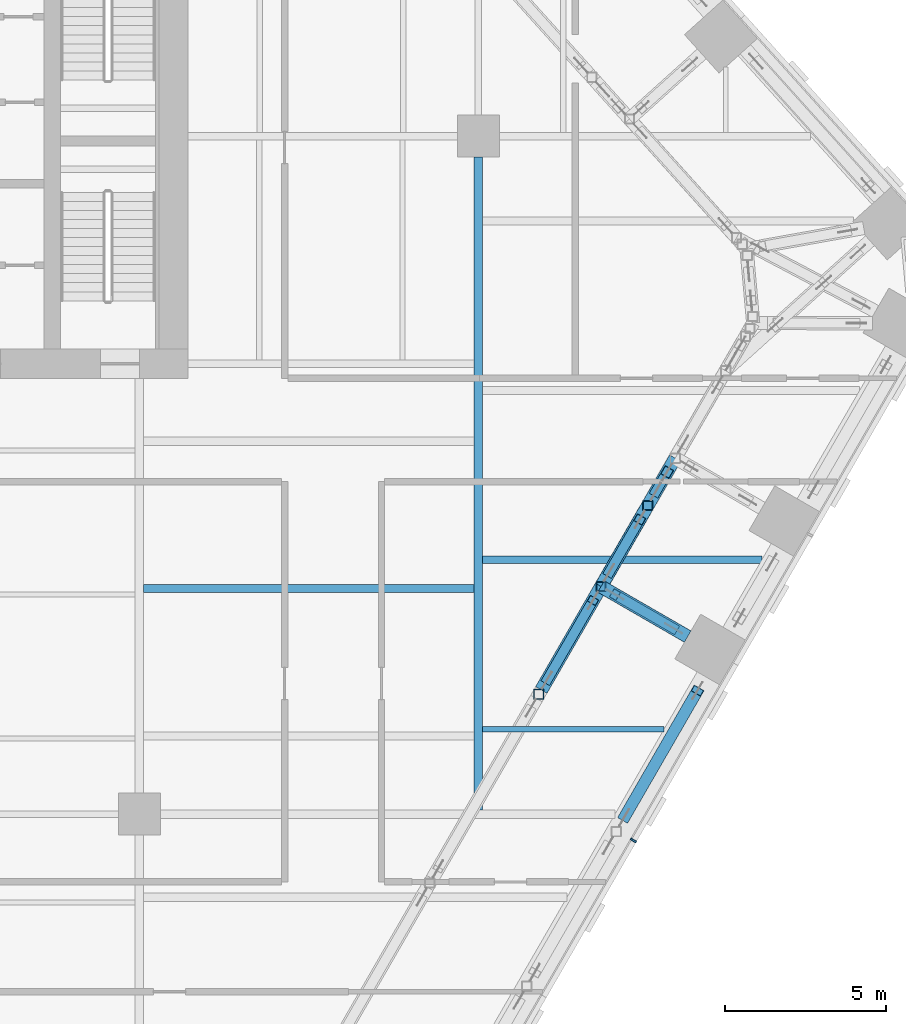
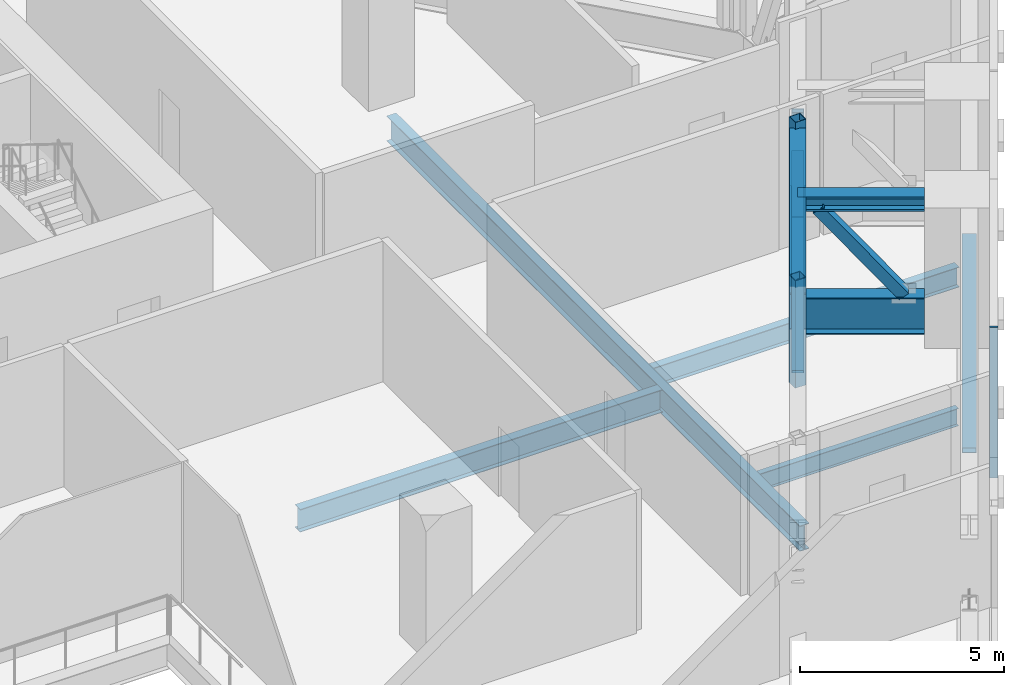
# One storey, part 9 of 36: 13 members, 4 beams, 1 element without a shape of its own.
"""IFC4 building model written with IfcOpenShell, lengths in metres."""

from ifc_helpers import new_model, si_unit, direction, frame, origin, origin_2d, place, context, subcontext, project, spatial, rectangle, hollow_rectangle, i_section, extrude, material, layer, layer_set, material_profile, profile_set, type_object, element, aggregate, save


model = new_model("IFC4")

# Units and contexts
model_context = context("Model", 3, precision=1e-05, world=origin(), true_north=direction((0.0, 1.0)))
body_context = subcontext(model_context, "Body", "Model", "MODEL_VIEW")
ifc_project = project(units=[si_unit("LENGTHUNIT", "METRE"), si_unit("AREAUNIT", "SQUARE_METRE"), si_unit("VOLUMEUNIT", "CUBIC_METRE"), si_unit("PLANEANGLEUNIT", "RADIAN"), si_unit("MASSUNIT", "GRAM", prefix="KILO")], contexts=[model_context])

# Site, building, storey
site_placement = place(None, origin())
site = spatial("IfcSite", under=ifc_project, at=site_placement, CompositionType="ELEMENT")
building_placement = place(site_placement, origin())
building = spatial("IfcBuilding", under=site, at=building_placement, Name="Isthmus Gate Tower", CompositionType="ELEMENT")
storey_placement = place(building_placement, frame((0.0, 0.0, 117.14990234375)))
storey = spatial("IfcBuildingStorey", under=building, at=storey_placement, Name="L28", CompositionType="ELEMENT", Elevation=117.14990234375)

# Curtain wall, member
ifc_material_1 = material(Name="Aluminium, pale champagne anodised", Category="aluminium")
ifc_layer = layer(ifc_material_1, 0.199951171875)
ifc_layer_set = layer_set([ifc_layer], Name="CW-2 LOUVRE CURTAIN WALL 200 DEEP")
curtain_wall_type = type_object("IfcCurtainWallType", Name="CW-2 LOUVRE CURTAIN WALL 200 DEEP", PredefinedType="NOTDEFINED", material=ifc_layer_set)
curtain_wall_placement = place(storey_placement, origin())
curtain_wall = element("IfcCurtainWall", 1, at=curtain_wall_placement, inside=storey, type_object=curtain_wall_type, Name="CW-2 SE L28", PredefinedType="NOTDEFINED")
ifc_material_2 = material(Name="Aluminium, pale champagne anodised", Category="aluminium")
ifc_material_profile_1 = material_profile(ifc_material_2, rectangle(XDim=0.06005859375, YDim=0.199951171875, at=origin_2d()), Name="60x200")
ifc_profile_set_1 = profile_set([ifc_material_profile_1], Name="Aluminium, pale champagne anodised")
member_type_1 = type_object("IfcMemberType", Name="CW-2 MULLION 60 X 200", PredefinedType="MULLION", material=ifc_profile_set_1)
member_1_placement = place(storey_placement, frame((28.802001953125, -14.3134765625, 0.0), z_axis=(0.0, 0.0, 1.0), x_axis=(0.5, 0.866025403784, 0.0)))
member_1 = element("IfcMember", 2, at=member_1_placement, type_object=member_type_1, Name="CW-2 mullion", PredefinedType="MULLION", context=body_context, shape_type="SweptSolid", body=[
    extrude(rectangle(XDim=0.06005859375, YDim=0.199951171875, at=origin_2d()), origin(), (0.0, 0.0, 1.0), 4.5),
])
aggregate(curtain_wall, [member_1])

# Beams
ifc_material_3 = material(Name="Structural steel ASTM A992 Gr 50", Category="steel")
ifc_material_profile_2 = material_profile(ifc_material_3, i_section(OverallWidth=0.1650390625, OverallDepth=0.52392578125, WebThickness=0.009521484375, FlangeThickness=0.010986328125, at=origin_2d()), Name="W21X44")
ifc_profile_set_2 = profile_set([ifc_material_profile_2], Name="Structural steel ASTM A992 Gr 50")
beam_type_1 = type_object("IfcBeamType", Name="STEEL FLOOR BEAM W21X44", PredefinedType="JOIST", material=ifc_profile_set_2)
beam_1_placement = place(storey_placement, frame((24.13330078125, -10.875, -0.561767578125), z_axis=(1.0, 0.0, 0.0), x_axis=(0.0, 1.0, 0.0)))
element("IfcBeam", 3, at=beam_1_placement, inside=storey, type_object=beam_type_1, Name="str-beam-L28-34-00", PredefinedType="JOIST", context=body_context, shape_type="SweptSolid", body=[
    extrude(i_section(OverallWidth=0.1650390625, OverallDepth=0.52392578125, WebThickness=0.009521484375, FlangeThickness=0.010986328125, at=origin_2d()), origin(), (0.0, 0.0, 1.0), 5.61474609375),
])
ifc_material_4 = material(Name="Structural steel ASTM A992 Gr 50", Category="steel")
ifc_material_profile_3 = material_profile(ifc_material_4, i_section(OverallWidth=0.228515625, OverallDepth=0.603271484375, WebThickness=0.010986328125, FlangeThickness=0.014404296875, at=origin_2d()), Name="W24X68")
ifc_profile_set_3 = profile_set([ifc_material_profile_3], Name="Structural steel ASTM A992 Gr 50")
beam_type_2 = type_object("IfcBeamType", Name="STEEL FLOOR BEAM W24X68", PredefinedType="JOIST", material=ifc_profile_set_3)
beam_2_placement = place(storey_placement, frame((24.13330078125, -5.625, -0.6015625), z_axis=(1.0, 0.0, 0.0), x_axis=(0.0, 1.0, 0.0)))
element("IfcBeam", 4, at=beam_2_placement, inside=storey, type_object=beam_type_2, Name="str-beam-L28-34-01", PredefinedType="JOIST", context=body_context, shape_type="SweptSolid", body=[
    extrude(i_section(OverallWidth=0.228515625, OverallDepth=0.603271484375, WebThickness=0.010986328125, FlangeThickness=0.014404296875, at=origin_2d()), origin(), (0.0, 0.0, 1.0), 8.645751953125),
])
ifc_material_5 = material(Name="Structural steel ASTM A992 Gr 50", Category="steel")
ifc_material_profile_4 = material_profile(ifc_material_5, i_section(OverallWidth=0.25390625, OverallDepth=0.679443359375, WebThickness=0.010986328125, FlangeThickness=0.015869140625, at=origin_2d()), Name="W27X84")
ifc_profile_set_4 = profile_set([ifc_material_profile_4], Name="Structural steel ASTM A992 Gr 50")
beam_type_3 = type_object("IfcBeamType", Name="STEEL FLOOR BEAM W27X84", PredefinedType="JOIST", material=ifc_profile_set_4)
beam_3_placement = place(storey_placement, frame((13.6318359375, -6.515380859375, -0.6396484375), z_axis=(1.0, 0.0, 0.0), x_axis=(0.0, 1.0, 0.0)))
element("IfcBeam", 5, at=beam_3_placement, inside=storey, type_object=beam_type_3, Name="str-beam-L28-27-01", PredefinedType="JOIST", context=body_context, shape_type="SweptSolid", body=[
    extrude(i_section(OverallWidth=0.25390625, OverallDepth=0.679443359375, WebThickness=0.010986328125, FlangeThickness=0.015869140625, at=origin_2d()), origin(), (0.0, 0.0, 1.0), 10.23486328125),
])
ifc_material_6 = material(Name="Structural steel ASTM A992 Gr 50", Category="steel")
ifc_material_profile_5 = material_profile(ifc_material_6, i_section(OverallWidth=0.2666015625, OverallDepth=0.7587890625, WebThickness=0.014404296875, FlangeThickness=0.01904296875, at=origin_2d()), Name="W30X108")
ifc_profile_set_5 = profile_set([ifc_material_profile_5], Name="Structural steel ASTM A992 Gr 50")
beam_type_4 = type_object("IfcBeamType", Name="STEEL GIRDER W30X108", PredefinedType="BEAM", material=ifc_profile_set_5)
beam_4_placement = place(storey_placement, frame((24.0, -13.36669921875, -0.67919921875), z_axis=(0.0, 1.0, 0.0), x_axis=(-1.0, 0.0, 0.0)))
element("IfcBeam", 6, at=beam_4_placement, inside=storey, type_object=beam_type_4, Name="str-girder-L28-36", PredefinedType="BEAM", context=body_context, shape_type="SweptSolid", body=[
    extrude(i_section(OverallWidth=0.2666015625, OverallDepth=0.7587890625, WebThickness=0.014404296875, FlangeThickness=0.01904296875, at=origin_2d()), origin(), (0.0, 0.0, 1.0), 20.216796875),
])

# Members
ifc_material_7 = material(Name="Structural steel ASTM A913 Gr 65", Category="steel")
ifc_material_profile_6 = material_profile(ifc_material_7, i_section(OverallWidth=0.40966796875, OverallDepth=0.42529296875, WebThickness=0.033203125, FlangeThickness=0.052490234375, at=origin_2d()), Name="W14X283")
ifc_profile_set_6 = profile_set([ifc_material_profile_6], Name="Structural steel ASTM A913 Gr 65")
member_type_2 = type_object("IfcMemberType", Name="TRANSFER TRUSS CHORD W14X283", PredefinedType="CHORD", material=ifc_profile_set_6)
member_2_placement = place(storey_placement, frame((29.171875, -4.072509765625, 3.887451171875), z_axis=(-0.499972749046, -0.866041136558, 0.0), x_axis=(0.866041136558, -0.499972749046, 0.0)))
element("IfcMember", 7, at=member_2_placement, inside=storey, type_object=member_type_2, Name="str-ring03-L28-17", PredefinedType="CHORD", context=body_context, shape_type="SweptSolid", body=[
    extrude(i_section(OverallWidth=0.40966796875, OverallDepth=0.42529296875, WebThickness=0.033203125, FlangeThickness=0.052490234375, at=origin_2d()), origin(), (0.0, 0.0, 1.0), 6.445068359375),
])
member_3_placement = place(storey_placement, frame((30.484130859375, -8.0, 3.887451171875), z_axis=(-0.86602952684, 0.49999285859, 0.0), x_axis=(-0.49999285859, -0.86602952684, 0.0)))
element("IfcMember", 8, at=member_3_placement, inside=storey, type_object=member_type_2, Name="str-link19-L28-02", PredefinedType="CHORD", context=body_context, shape_type="SweptSolid", body=[
    extrude(i_section(OverallWidth=0.40966796875, OverallDepth=0.42529296875, WebThickness=0.033203125, FlangeThickness=0.052490234375, at=origin_2d()), origin(), (0.0, 0.0, 1.0), 3.10009765625),
])
ifc_material_8 = material(Name="Structural steel ASTM A913 Gr 65", Category="steel")
ifc_material_profile_7 = material_profile(ifc_material_8, i_section(OverallWidth=0.39990234375, OverallDepth=1.089111328125, WebThickness=0.017578125, FlangeThickness=0.03173828125, at=origin_2d()), Name="W44X230")
ifc_profile_set_7 = profile_set([ifc_material_profile_7], Name="Structural steel ASTM A913 Gr 65")
member_type_3 = type_object("IfcMemberType", Name="TRANSFER TRUSS CHORD W44X230", PredefinedType="CHORD", material=ifc_profile_set_7)
member_4_placement = place(storey_placement, frame((30.095703125, -2.47265625, 0.544677734375), z_axis=(-0.50000925113, -0.866020062576, 0.0), x_axis=(0.866020062576, -0.50000925113, 0.0)))
element("IfcMember", 9, at=member_4_placement, inside=storey, type_object=member_type_3, Name="str-ring03-L28-13", PredefinedType="CHORD", context=body_context, shape_type="SweptSolid", body=[
    extrude(i_section(OverallWidth=0.39990234375, OverallDepth=1.089111328125, WebThickness=0.017578125, FlangeThickness=0.03173828125, at=origin_2d()), origin(), (0.0, 0.0, 1.0), 4.59326171875),
])
member_5_placement = place(storey_placement, frame((30.484130859375, -8.0, 0.544677734375), z_axis=(-0.86602952684, 0.49999285859, 0.0), x_axis=(-0.49999285859, -0.86602952684, 0.0)))
element("IfcMember", 10, at=member_5_placement, inside=storey, type_object=member_type_3, Name="str-link19-L28-01", PredefinedType="CHORD", context=body_context, shape_type="SweptSolid", body=[
    extrude(i_section(OverallWidth=0.39990234375, OverallDepth=1.089111328125, WebThickness=0.017578125, FlangeThickness=0.03173828125, at=origin_2d()), origin(), (0.0, 0.0, 1.0), 3.10009765625),
])
ifc_material_9 = material(Name="Structural steel ASTM A500 Gr C", Category="steel")
ifc_material_profile_8 = material_profile(ifc_material_9, hollow_rectangle(XDim=0.3046875, YDim=0.3046875, WallThickness=0.014892578125, at=origin_2d()), Name="HSS12X12X5/8")
ifc_profile_set_8 = profile_set([ifc_material_profile_8], Name="Structural steel ASTM A500 Gr C")
member_type_4 = type_object("IfcMemberType", Name="TRANSFER TRUSS DIAGONAL HSS12X12X5/8", PredefinedType="BRACE", material=ifc_profile_set_8)
member_6_placement = place(storey_placement, frame((29.498291015625, -3.507568359375, 1.089111328125), z_axis=(0.129755405492, 0.224769553434, 0.965734012342), x_axis=(-0.866051024128, 0.499955621637, 0.0)))
element("IfcMember", 11, at=member_6_placement, inside=storey, type_object=member_type_4, Name="str-ring03-L28-23", PredefinedType="BRACE", context=body_context, shape_type="SweptSolid", body=[
    extrude(hollow_rectangle(XDim=0.3046875, YDim=0.3046875, WallThickness=0.014892578125, at=origin_2d()), origin(), (0.0, 0.0, 1.0), 2.677490234375),
])
member_7_placement = place(storey_placement, frame((28.049072265625, -6.017333984375, 1.089111328125), z_axis=(0.295936650281, 0.512408829653, 0.80613813352), x_axis=(-0.865954211699, 0.50012328804, 0.0)))
element("IfcMember", 12, at=member_7_placement, inside=storey, type_object=member_type_4, Name="str-ring03-L28-24", PredefinedType="BRACE", context=body_context, shape_type="SweptSolid", body=[
    extrude(hollow_rectangle(XDim=0.3046875, YDim=0.3046875, WallThickness=0.014892578125, at=origin_2d()), origin(), (0.0, 0.0, 1.0), 3.20751953125),
])
member_8_placement = place(storey_placement, frame((26.123291015625, -9.353271484375, 1.089111328125), z_axis=(0.370371304382, 0.641617549046, 0.671678507655), x_axis=(-0.866064421638, 0.499932413005, 0.0)))
element("IfcMember", 13, at=member_8_placement, inside=storey, type_object=member_type_4, Name="str-ring03-L28-25", PredefinedType="BRACE", context=body_context, shape_type="SweptSolid", body=[
    extrude(hollow_rectangle(XDim=0.3046875, YDim=0.3046875, WallThickness=0.014892578125, at=origin_2d()), origin(), (0.0, 0.0, 1.0), 3.849609375),
])
member_9_placement = place(storey_placement, frame((30.051025390625, -7.75, 1.089111328125), z_axis=(-0.545959035767, 0.315232892044, 0.776245421911), x_axis=(-0.500027713859, -0.866009402589, 0.0)))
element("IfcMember", 14, at=member_9_placement, inside=storey, type_object=member_type_4, Name="str-link19-L28-03", PredefinedType="BRACE", context=body_context, shape_type="SweptSolid", body=[
    extrude(hollow_rectangle(XDim=0.3046875, YDim=0.3046875, WallThickness=0.014892578125, at=origin_2d()), origin(), (0.0, 0.0, 1.0), 3.3310546875),
])
ifc_material_10 = material(Name="Structural steel ASTM A500 Gr C", Category="steel")
ifc_material_profile_9 = material_profile(ifc_material_10, hollow_rectangle(XDim=0.3046875, YDim=0.3046875, WallThickness=0.014892578125, at=origin_2d()), Name="HSS12X12X5/8")
ifc_profile_set_9 = profile_set([ifc_material_profile_9], Name="Structural steel ASTM A500 Gr C")
member_type_5 = type_object("IfcMemberType", Name="TRANSFER TRUSS POST HSS12X12X5/8", PredefinedType="POST", material=ifc_profile_set_9)
member_10_placement = place(storey_placement, frame((29.248291015625, -3.940673828125, 1.089111328125), z_axis=(0.0, 0.0, 1.0), x_axis=(1.0, 0.0, 0.0)))
element("IfcMember", 15, at=member_10_placement, inside=storey, type_object=member_type_5, Name="str-ring03-L28-05", PredefinedType="POST", context=body_context, shape_type="SweptSolid", body=[
    extrude(hollow_rectangle(XDim=0.3046875, YDim=0.3046875, WallThickness=0.014892578125, at=origin_2d()), origin(), (0.0, 0.0, 1.0), 3.2109375),
])
member_11_placement = place(storey_placement, frame((27.799072265625, -6.450439453125, 1.089111328125), z_axis=(0.0, 0.0, 1.0), x_axis=(1.0, 0.0, 0.0)))
element("IfcMember", 16, at=member_11_placement, inside=storey, type_object=member_type_5, Name="str-ring03-L28-06", PredefinedType="POST", context=body_context, shape_type="SweptSolid", body=[
    extrude(hollow_rectangle(XDim=0.3046875, YDim=0.3046875, WallThickness=0.014892578125, at=origin_2d()), origin(), (0.0, 0.0, 1.0), 2.585693359375),
])
member_12_placement = place(storey_placement, frame((25.873291015625, -9.786376953125, 1.089111328125), z_axis=(0.0, 0.0, 1.0), x_axis=(1.0, 0.0, 0.0)))
element("IfcMember", 17, at=member_12_placement, inside=storey, type_object=member_type_5, Name="str-ring03-L28-07", PredefinedType="POST", context=body_context, shape_type="SweptSolid", body=[
    extrude(hollow_rectangle(XDim=0.3046875, YDim=0.3046875, WallThickness=0.014892578125, at=origin_2d()), origin(), (0.0, 0.0, 1.0), 3.2109375),
])
ifc_material_11 = material(Name="Structural steel ASTM A500 Gr C", Category="steel")
ifc_material_profile_10 = material_profile(ifc_material_11, hollow_rectangle(XDim=0.355712890625, YDim=0.355712890625, WallThickness=0.017578125, at=origin_2d()), Name="HSS14X14X3/4")
ifc_profile_set_10 = profile_set([ifc_material_profile_10], Name="Structural steel ASTM A500 Gr C")
member_type_6 = type_object("IfcMemberType", Name="TRUSS DIAGONAL HSS14X14X3/4", PredefinedType="BRACE", material=ifc_profile_set_10)
member_13_placement = place(storey_placement, frame((28.517333984375, -13.606689453125, 0.482666015625), z_axis=(0.407142530424, 0.705261095465, 0.580380691567), x_axis=(-0.866046753536, 0.499963019323, 0.0)))
element("IfcMember", 18, at=member_13_placement, inside=storey, type_object=member_type_6, Name="str-belt08-L28-05", PredefinedType="BRACE", context=body_context, shape_type="SweptSolid", body=[
    extrude(hollow_rectangle(XDim=0.355712890625, YDim=0.355712890625, WallThickness=0.017578125, at=origin_2d()), origin(), (0.0, 0.0, 1.0), 5.57373046875),
])

save(model, "model.ifc")
